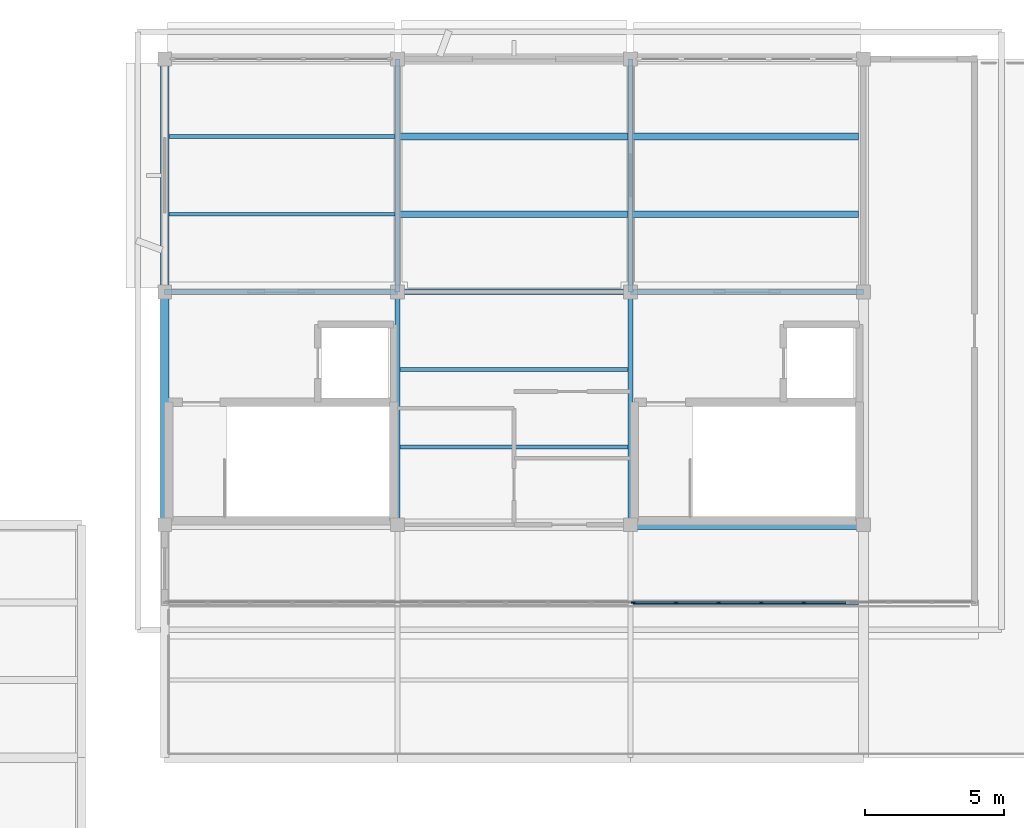
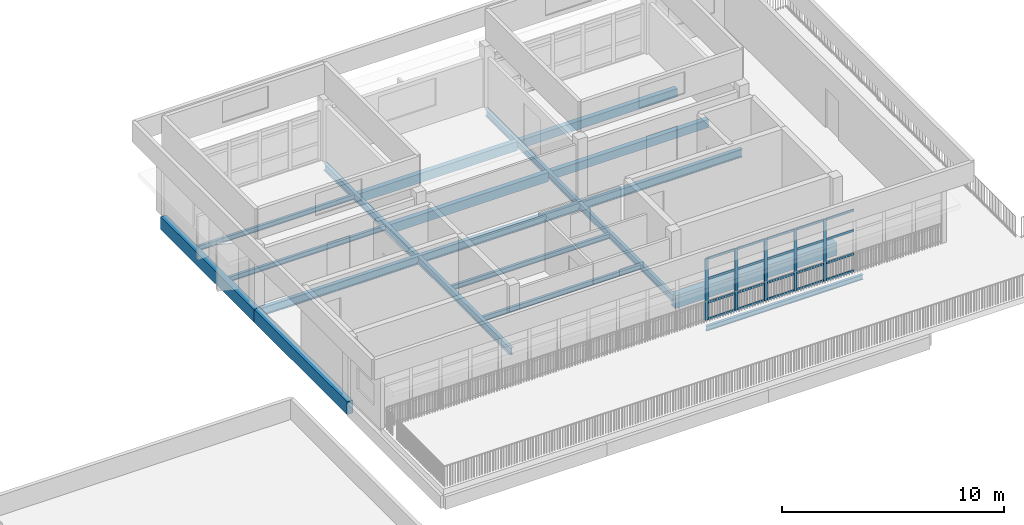
# One storey, part 3 of 14: 25 members, 19 beams, 1 element without a shape of its own.
"""IFC4 building model written with IfcOpenShell, lengths in metres."""

from ifc_helpers import new_model, si_unit, direction, frame, origin, origin_2d, place, context, subcontext, project, spatial, rectangle, i_section, extrude, material, material_profile, profile_set, type_object, element, aggregate, save


model = new_model("IFC4")

# Units and contexts
model_context = context("Model", 3, precision=1e-05, world=origin(), true_north=direction((0.0, 1.0)))
body_context = subcontext(model_context, "Body", "Model", "MODEL_VIEW")
ifc_project = project(units=[si_unit("LENGTHUNIT", "METRE"), si_unit("AREAUNIT", "SQUARE_METRE"), si_unit("VOLUMEUNIT", "CUBIC_METRE"), si_unit("PLANEANGLEUNIT", "RADIAN"), si_unit("MASSUNIT", "GRAM", prefix="KILO")], contexts=[model_context])

# Site, building, storey
site_placement = place(None, origin())
site = spatial("IfcSite", under=ifc_project, at=site_placement, CompositionType="ELEMENT")
building_placement = place(site_placement, origin())
building = spatial("IfcBuilding", under=site, at=building_placement, Name="Vanh Quang Courtyard School", CompositionType="ELEMENT")
storey_placement = place(building_placement, frame((0.0, 0.0, 22.199951171875)))
storey = spatial("IfcBuildingStorey", under=building, at=storey_placement, Name="L06", CompositionType="ELEMENT", Elevation=22.199951171875)

# Beams
ifc_material_1 = material(Name="Concrete C35/45", Category="concrete")
ifc_material_profile_1 = material_profile(ifc_material_1, rectangle(XDim=0.35009765625, YDim=0.699951171875, at=origin_2d()), Name="RC-BM 350x700")
ifc_profile_set_1 = profile_set([ifc_material_profile_1], Name="Concrete C35/45")
beam_type_1 = type_object("IfcBeamType", Name="BM-RC-350x700", PredefinedType="BEAM", material=ifc_profile_set_1)
beam_1_placement = place(storey_placement, frame((94.199951171875, 79.800048828125, -0.599853515625), z_axis=(1.0, 0.0, 0.0), x_axis=(0.0, 1.0, 0.0)))
element("IfcBeam", 1, at=beam_1_placement, inside=storey, type_object=beam_type_1, Name="Beam B-04 (L06)", PredefinedType="BEAM", context=body_context, shape_type="SweptSolid", body=[
    extrude(rectangle(XDim=0.35009765625, YDim=0.699951171875, at=origin_2d()), origin(), (0.0, 0.0, 1.0), 8.400146484375),
])
ifc_material_profile_2 = material_profile(ifc_material_1, rectangle(XDim=0.300048828125, YDim=0.699951171875, at=origin_2d()), Name="RC-SP 300x700")
ifc_profile_set_2 = profile_set([ifc_material_profile_2], Name="Concrete C35/45")
beam_type_2 = type_object("IfcBeamType", Name="BM-SP-300x700", PredefinedType="SPANDREL", material=ifc_profile_set_2)
beam_2_placement = place(storey_placement, frame((77.39990234375, 79.800048828125, -0.599853515625), z_axis=(0.0, 1.0, 0.0), x_axis=(-1.0, 0.0, 0.0)))
element("IfcBeam", 2, at=beam_2_placement, inside=storey, type_object=beam_type_2, Name="Beam BS-01 (L06)", PredefinedType="SPANDREL", context=body_context, shape_type="SweptSolid", body=[
    extrude(rectangle(XDim=0.300048828125, YDim=0.699951171875, at=origin_2d()), origin(), (0.0, 0.0, 1.0), 8.39990234375),
])
beam_3_placement = place(storey_placement, frame((77.39990234375, 88.199951171875, -0.599853515625), z_axis=(0.0, 1.0, 0.0), x_axis=(-1.0, 0.0, 0.0)))
element("IfcBeam", 3, at=beam_3_placement, inside=storey, type_object=beam_type_2, Name="Beam BS-01 (L06)", PredefinedType="SPANDREL", context=body_context, shape_type="SweptSolid", body=[
    extrude(rectangle(XDim=0.300048828125, YDim=0.699951171875, at=origin_2d()), origin(), (0.0, 0.0, 1.0), 8.400146484375),
])
ifc_material_2 = material(Name="Structural steel EN 10025-2 S355J2", Category="steel")
ifc_material_profile_3 = material_profile(ifc_material_2, i_section(OverallWidth=0.169921875, OverallDepth=0.360107421875, WebThickness=0.008056640625, FlangeThickness=0.0126953125, FilletRadius=0.01806640625, at=origin_2d()), Name="IPE 360")
ifc_profile_set_3 = profile_set([ifc_material_profile_3], Name="Structural steel EN 10025-2 S355J2")
beam_type_3 = type_object("IfcBeamType", Name="BM-STL-IPE360", PredefinedType="BEAM", material=ifc_profile_set_3)
beam_4_placement = place(storey_placement, frame((94.199951171875, 79.800048828125, -0.429931640625), z_axis=(0.0, 1.0, 0.0), x_axis=(-1.0, 0.0, 0.0)))
element("IfcBeam", 4, at=beam_4_placement, inside=storey, type_object=beam_type_3, Name="Beam SB-06 (L06)", PredefinedType="BEAM", context=body_context, shape_type="SweptSolid", body=[
    extrude(i_section(OverallWidth=0.169921875, OverallDepth=0.360107421875, WebThickness=0.008056640625, FlangeThickness=0.0126953125, FilletRadius=0.01806640625, at=origin_2d()), origin(), (0.0, 0.0, 1.0), 8.39990234375),
])
beam_5_placement = place(storey_placement, frame((94.199951171875, 88.199951171875, -0.429931640625), z_axis=(0.0, 1.0, 0.0), x_axis=(-1.0, 0.0, 0.0)))
element("IfcBeam", 5, at=beam_5_placement, inside=storey, type_object=beam_type_3, Name="Beam SB-06 (L06)", PredefinedType="BEAM", context=body_context, shape_type="SweptSolid", body=[
    extrude(i_section(OverallWidth=0.169921875, OverallDepth=0.360107421875, WebThickness=0.008056640625, FlangeThickness=0.0126953125, FilletRadius=0.01806640625, at=origin_2d()), origin(), (0.0, 0.0, 1.0), 8.400146484375),
])
ifc_material_profile_4 = material_profile(ifc_material_2, i_section(OverallWidth=0.179931640625, OverallDepth=0.39990234375, WebThickness=0.008544921875, FlangeThickness=0.013427734375, FilletRadius=0.02099609375, at=origin_2d()), Name="IPE 400")
ifc_profile_set_4 = profile_set([ifc_material_profile_4], Name="Structural steel EN 10025-2 S355J2")
beam_type_4 = type_object("IfcBeamType", Name="BM-STL-IPE400", PredefinedType="BEAM", material=ifc_profile_set_4)
beam_6_placement = place(storey_placement, frame((85.800048828125, 79.800048828125, -0.449951171875), z_axis=(0.0, 1.0, 0.0), x_axis=(-1.0, 0.0, 0.0)))
element("IfcBeam", 6, at=beam_6_placement, inside=storey, type_object=beam_type_4, Name="Beam SB-05 (L06)", PredefinedType="BEAM", context=body_context, shape_type="SweptSolid", body=[
    extrude(i_section(OverallWidth=0.179931640625, OverallDepth=0.39990234375, WebThickness=0.008544921875, FlangeThickness=0.013427734375, FilletRadius=0.02099609375, at=origin_2d()), origin(), (0.0, 0.0, 1.0), 8.39990234375),
])
beam_7_placement = place(storey_placement, frame((85.800048828125, 88.199951171875, -0.449951171875), z_axis=(0.0, 1.0, 0.0), x_axis=(-1.0, 0.0, 0.0)))
element("IfcBeam", 7, at=beam_7_placement, inside=storey, type_object=beam_type_4, Name="Beam SB-05 (L06)", PredefinedType="BEAM", context=body_context, shape_type="SweptSolid", body=[
    extrude(i_section(OverallWidth=0.179931640625, OverallDepth=0.39990234375, WebThickness=0.008544921875, FlangeThickness=0.013427734375, FilletRadius=0.02099609375, at=origin_2d()), origin(), (0.0, 0.0, 1.0), 8.400146484375),
])
ifc_material_profile_5 = material_profile(ifc_material_2, i_section(OverallWidth=0.18994140625, OverallDepth=0.449951171875, WebThickness=0.009521484375, FlangeThickness=0.0146484375, FilletRadius=0.02099609375, at=origin_2d()), Name="IPE 450")
ifc_profile_set_5 = profile_set([ifc_material_profile_5], Name="Structural steel EN 10025-2 S355J2")
beam_type_5 = type_object("IfcBeamType", Name="BM-STL-IPE450", PredefinedType="BEAM", material=ifc_profile_set_5)
beam_8_placement = place(storey_placement, frame((77.39990234375, 88.199951171875, -0.474853515625), z_axis=(1.0, 0.0, 0.0), x_axis=(0.0, 1.0, 0.0)))
element("IfcBeam", 8, at=beam_8_placement, inside=storey, type_object=beam_type_5, Name="Beam SB-04 (L06)", PredefinedType="BEAM", context=body_context, shape_type="SweptSolid", body=[
    extrude(i_section(OverallWidth=0.18994140625, OverallDepth=0.449951171875, WebThickness=0.009521484375, FlangeThickness=0.0146484375, FilletRadius=0.02099609375, at=origin_2d()), origin(), (0.0, 0.0, 1.0), 8.400146484375),
])
beam_9_placement = place(storey_placement, frame((85.800048828125, 88.199951171875, -0.474853515625), z_axis=(1.0, 0.0, 0.0), x_axis=(0.0, 1.0, 0.0)))
element("IfcBeam", 9, at=beam_9_placement, inside=storey, type_object=beam_type_5, Name="Beam SB-04 (L06)", PredefinedType="BEAM", context=body_context, shape_type="SweptSolid", body=[
    extrude(i_section(OverallWidth=0.18994140625, OverallDepth=0.449951171875, WebThickness=0.009521484375, FlangeThickness=0.0146484375, FilletRadius=0.02099609375, at=origin_2d()), origin(), (0.0, 0.0, 1.0), 8.39990234375),
])
beam_10_placement = place(storey_placement, frame((94.199951171875, 88.199951171875, -0.474853515625), z_axis=(1.0, 0.0, 0.0), x_axis=(0.0, 1.0, 0.0)))
element("IfcBeam", 10, at=beam_10_placement, inside=storey, type_object=beam_type_5, Name="Beam SB-04 (L06)", PredefinedType="BEAM", context=body_context, shape_type="SweptSolid", body=[
    extrude(i_section(OverallWidth=0.18994140625, OverallDepth=0.449951171875, WebThickness=0.009521484375, FlangeThickness=0.0146484375, FilletRadius=0.02099609375, at=origin_2d()), origin(), (0.0, 0.0, 1.0), 8.400146484375),
])

# Curtain wall, members
ifc_material_3 = material(Name="Thermally broken aluminium unitised curtain wall", Category="aluminium")
curtain_wall_type = type_object("IfcCurtainWallType", Name="CW-SYS-69", PredefinedType="NOTDEFINED", material=ifc_material_3)
curtain_wall_placement = place(storey_placement, origin())
curtain_wall = element("IfcCurtainWall", 11, at=curtain_wall_placement, inside=storey, type_object=curtain_wall_type, Name="Curtain Wall CW-69 (L06)", PredefinedType="NOTDEFINED")
ifc_material_4 = material(Name="Anodised aluminium 6063-T6", Category="aluminium")
ifc_material_profile_6 = material_profile(ifc_material_4, rectangle(XDim=0.06005859375, YDim=0.159912109375, at=origin_2d()), Name="ALU-MUL 60x160")
ifc_profile_set_6 = profile_set([ifc_material_profile_6], Name="Anodised aluminium 6063-T6")
member_type_1 = type_object("IfcMemberType", Name="CW-MUL-60x160", PredefinedType="MULLION", material=ifc_profile_set_6)
member_1_placement = place(storey_placement, frame((100.45263671875, 77.0, 0.0), z_axis=(0.0, 0.0, 1.0), x_axis=(0.0, -1.0, 0.0)))
member_1 = element("IfcMember", 12, at=member_1_placement, type_object=member_type_1, Name="CW-69 mullion 5", PredefinedType="MULLION", context=body_context, shape_type="SweptSolid", body=[
    extrude(rectangle(XDim=0.06005859375, YDim=0.159912109375, at=origin_2d()), origin(), (0.0, 0.0, 1.0), 3.380126953125),
])
member_2_placement = place(storey_placement, frame((98.915771484375, 77.0, 0.0), z_axis=(0.0, 0.0, 1.0), x_axis=(0.0, -1.0, 0.0)))
member_2 = element("IfcMember", 13, at=member_2_placement, type_object=member_type_1, Name="CW-69 mullion 6", PredefinedType="MULLION", context=body_context, shape_type="SweptSolid", body=[
    extrude(rectangle(XDim=0.06005859375, YDim=0.159912109375, at=origin_2d()), origin(), (0.0, 0.0, 1.0), 3.380126953125),
])
member_3_placement = place(storey_placement, frame((97.37890625, 77.0, 0.0), z_axis=(0.0, 0.0, 1.0), x_axis=(0.0, -1.0, 0.0)))
member_3 = element("IfcMember", 14, at=member_3_placement, type_object=member_type_1, Name="CW-69 mullion 7", PredefinedType="MULLION", context=body_context, shape_type="SweptSolid", body=[
    extrude(rectangle(XDim=0.06005859375, YDim=0.159912109375, at=origin_2d()), origin(), (0.0, 0.0, 1.0), 3.380126953125),
])
member_4_placement = place(storey_placement, frame((95.842041015625, 77.0, 0.0), z_axis=(0.0, 0.0, 1.0), x_axis=(0.0, -1.0, 0.0)))
member_4 = element("IfcMember", 15, at=member_4_placement, type_object=member_type_1, Name="CW-69 mullion 8", PredefinedType="MULLION", context=body_context, shape_type="SweptSolid", body=[
    extrude(rectangle(XDim=0.06005859375, YDim=0.159912109375, at=origin_2d()), origin(), (0.0, 0.0, 1.0), 3.380126953125),
])
member_5_placement = place(storey_placement, frame((94.30517578125, 77.0, 0.0), z_axis=(0.0, 0.0, 1.0), x_axis=(0.0, -1.0, 0.0)))
member_5 = element("IfcMember", 16, at=member_5_placement, type_object=member_type_1, Name="CW-69 mullion 9", PredefinedType="MULLION", context=body_context, shape_type="SweptSolid", body=[
    extrude(rectangle(XDim=0.06005859375, YDim=0.159912109375, at=origin_2d()), origin(), (0.0, 0.0, 1.0), 3.380126953125),
])
ifc_material_profile_7 = material_profile(ifc_material_4, rectangle(XDim=0.06005859375, YDim=0.1201171875, at=origin_2d()), Name="ALU-TRN 60x120")
ifc_profile_set_7 = profile_set([ifc_material_profile_7], Name="Anodised aluminium 6063-T6")
member_type_2 = type_object("IfcMemberType", Name="CW-TRN-60x120", PredefinedType="USERDEFINED", material=ifc_profile_set_7)
member_6_placement = place(storey_placement, frame((101.95947265625, 77.0, 0.030029296875), z_axis=(-1.0, 0.0, 0.0), x_axis=(0.0, -1.0, 0.0)))
member_6 = element("IfcMember", 17, at=member_6_placement, type_object=member_type_2, Name="CW-69 transom 4.1", ObjectType="TRANSOM", PredefinedType="USERDEFINED", context=body_context, shape_type="SweptSolid", body=[
    extrude(rectangle(XDim=0.06005859375, YDim=0.1201171875, at=origin_2d()), origin(), (0.0, 0.0, 1.0), 1.476806640625),
])
member_7_placement = place(storey_placement, frame((101.95947265625, 77.0, 0.949951171875), z_axis=(-1.0, 0.0, 0.0), x_axis=(0.0, -1.0, 0.0)))
member_7 = element("IfcMember", 18, at=member_7_placement, type_object=member_type_2, Name="CW-69 transom 4.2", ObjectType="TRANSOM", PredefinedType="USERDEFINED", context=body_context, shape_type="SweptSolid", body=[
    extrude(rectangle(XDim=0.06005859375, YDim=0.1201171875, at=origin_2d()), origin(), (0.0, 0.0, 1.0), 1.476806640625),
])
member_8_placement = place(storey_placement, frame((101.95947265625, 77.0, 2.25), z_axis=(-1.0, 0.0, 0.0), x_axis=(0.0, -1.0, 0.0)))
member_8 = element("IfcMember", 19, at=member_8_placement, type_object=member_type_2, Name="CW-69 transom 4.3", ObjectType="TRANSOM", PredefinedType="USERDEFINED", context=body_context, shape_type="SweptSolid", body=[
    extrude(rectangle(XDim=0.06005859375, YDim=0.1201171875, at=origin_2d()), origin(), (0.0, 0.0, 1.0), 1.476806640625),
])
member_9_placement = place(storey_placement, frame((101.95947265625, 77.0, 3.35009765625), z_axis=(-1.0, 0.0, 0.0), x_axis=(0.0, -1.0, 0.0)))
member_9 = element("IfcMember", 20, at=member_9_placement, type_object=member_type_2, Name="CW-69 transom 4.4", ObjectType="TRANSOM", PredefinedType="USERDEFINED", context=body_context, shape_type="SweptSolid", body=[
    extrude(rectangle(XDim=0.06005859375, YDim=0.1201171875, at=origin_2d()), origin(), (0.0, 0.0, 1.0), 1.476806640625),
])
member_10_placement = place(storey_placement, frame((100.422607421875, 77.0, 0.030029296875), z_axis=(-1.0, 0.0, 0.0), x_axis=(0.0, -1.0, 0.0)))
member_10 = element("IfcMember", 21, at=member_10_placement, type_object=member_type_2, Name="CW-69 transom 5.1", ObjectType="TRANSOM", PredefinedType="USERDEFINED", context=body_context, shape_type="SweptSolid", body=[
    extrude(rectangle(XDim=0.06005859375, YDim=0.1201171875, at=origin_2d()), origin(), (0.0, 0.0, 1.0), 1.476806640625),
])
member_11_placement = place(storey_placement, frame((100.422607421875, 77.0, 0.949951171875), z_axis=(-1.0, 0.0, 0.0), x_axis=(0.0, -1.0, 0.0)))
member_11 = element("IfcMember", 22, at=member_11_placement, type_object=member_type_2, Name="CW-69 transom 5.2", ObjectType="TRANSOM", PredefinedType="USERDEFINED", context=body_context, shape_type="SweptSolid", body=[
    extrude(rectangle(XDim=0.06005859375, YDim=0.1201171875, at=origin_2d()), origin(), (0.0, 0.0, 1.0), 1.476806640625),
])
member_12_placement = place(storey_placement, frame((100.422607421875, 77.0, 2.25), z_axis=(-1.0, 0.0, 0.0), x_axis=(0.0, -1.0, 0.0)))
member_12 = element("IfcMember", 23, at=member_12_placement, type_object=member_type_2, Name="CW-69 transom 5.3", ObjectType="TRANSOM", PredefinedType="USERDEFINED", context=body_context, shape_type="SweptSolid", body=[
    extrude(rectangle(XDim=0.06005859375, YDim=0.1201171875, at=origin_2d()), origin(), (0.0, 0.0, 1.0), 1.476806640625),
])
member_13_placement = place(storey_placement, frame((100.422607421875, 77.0, 3.35009765625), z_axis=(-1.0, 0.0, 0.0), x_axis=(0.0, -1.0, 0.0)))
member_13 = element("IfcMember", 24, at=member_13_placement, type_object=member_type_2, Name="CW-69 transom 5.4", ObjectType="TRANSOM", PredefinedType="USERDEFINED", context=body_context, shape_type="SweptSolid", body=[
    extrude(rectangle(XDim=0.06005859375, YDim=0.1201171875, at=origin_2d()), origin(), (0.0, 0.0, 1.0), 1.476806640625),
])
member_14_placement = place(storey_placement, frame((98.8857421875, 77.0, 0.030029296875), z_axis=(-1.0, 0.0, 0.0), x_axis=(0.0, -1.0, 0.0)))
member_14 = element("IfcMember", 25, at=member_14_placement, type_object=member_type_2, Name="CW-69 transom 6.1", ObjectType="TRANSOM", PredefinedType="USERDEFINED", context=body_context, shape_type="SweptSolid", body=[
    extrude(rectangle(XDim=0.06005859375, YDim=0.1201171875, at=origin_2d()), origin(), (0.0, 0.0, 1.0), 1.476806640625),
])
member_15_placement = place(storey_placement, frame((98.8857421875, 77.0, 0.949951171875), z_axis=(-1.0, 0.0, 0.0), x_axis=(0.0, -1.0, 0.0)))
member_15 = element("IfcMember", 26, at=member_15_placement, type_object=member_type_2, Name="CW-69 transom 6.2", ObjectType="TRANSOM", PredefinedType="USERDEFINED", context=body_context, shape_type="SweptSolid", body=[
    extrude(rectangle(XDim=0.06005859375, YDim=0.1201171875, at=origin_2d()), origin(), (0.0, 0.0, 1.0), 1.476806640625),
])
member_16_placement = place(storey_placement, frame((98.8857421875, 77.0, 2.25), z_axis=(-1.0, 0.0, 0.0), x_axis=(0.0, -1.0, 0.0)))
member_16 = element("IfcMember", 27, at=member_16_placement, type_object=member_type_2, Name="CW-69 transom 6.3", ObjectType="TRANSOM", PredefinedType="USERDEFINED", context=body_context, shape_type="SweptSolid", body=[
    extrude(rectangle(XDim=0.06005859375, YDim=0.1201171875, at=origin_2d()), origin(), (0.0, 0.0, 1.0), 1.476806640625),
])
member_17_placement = place(storey_placement, frame((98.8857421875, 77.0, 3.35009765625), z_axis=(-1.0, 0.0, 0.0), x_axis=(0.0, -1.0, 0.0)))
member_17 = element("IfcMember", 28, at=member_17_placement, type_object=member_type_2, Name="CW-69 transom 6.4", ObjectType="TRANSOM", PredefinedType="USERDEFINED", context=body_context, shape_type="SweptSolid", body=[
    extrude(rectangle(XDim=0.06005859375, YDim=0.1201171875, at=origin_2d()), origin(), (0.0, 0.0, 1.0), 1.476806640625),
])
member_18_placement = place(storey_placement, frame((97.348876953125, 77.0, 0.030029296875), z_axis=(-1.0, 0.0, 0.0), x_axis=(0.0, -1.0, 0.0)))
member_18 = element("IfcMember", 29, at=member_18_placement, type_object=member_type_2, Name="CW-69 transom 7.1", ObjectType="TRANSOM", PredefinedType="USERDEFINED", context=body_context, shape_type="SweptSolid", body=[
    extrude(rectangle(XDim=0.06005859375, YDim=0.1201171875, at=origin_2d()), origin(), (0.0, 0.0, 1.0), 1.476806640625),
])
member_19_placement = place(storey_placement, frame((97.348876953125, 77.0, 0.949951171875), z_axis=(-1.0, 0.0, 0.0), x_axis=(0.0, -1.0, 0.0)))
member_19 = element("IfcMember", 30, at=member_19_placement, type_object=member_type_2, Name="CW-69 transom 7.2", ObjectType="TRANSOM", PredefinedType="USERDEFINED", context=body_context, shape_type="SweptSolid", body=[
    extrude(rectangle(XDim=0.06005859375, YDim=0.1201171875, at=origin_2d()), origin(), (0.0, 0.0, 1.0), 1.476806640625),
])
member_20_placement = place(storey_placement, frame((97.348876953125, 77.0, 2.25), z_axis=(-1.0, 0.0, 0.0), x_axis=(0.0, -1.0, 0.0)))
member_20 = element("IfcMember", 31, at=member_20_placement, type_object=member_type_2, Name="CW-69 transom 7.3", ObjectType="TRANSOM", PredefinedType="USERDEFINED", context=body_context, shape_type="SweptSolid", body=[
    extrude(rectangle(XDim=0.06005859375, YDim=0.1201171875, at=origin_2d()), origin(), (0.0, 0.0, 1.0), 1.476806640625),
])
member_21_placement = place(storey_placement, frame((97.348876953125, 77.0, 3.35009765625), z_axis=(-1.0, 0.0, 0.0), x_axis=(0.0, -1.0, 0.0)))
member_21 = element("IfcMember", 32, at=member_21_placement, type_object=member_type_2, Name="CW-69 transom 7.4", ObjectType="TRANSOM", PredefinedType="USERDEFINED", context=body_context, shape_type="SweptSolid", body=[
    extrude(rectangle(XDim=0.06005859375, YDim=0.1201171875, at=origin_2d()), origin(), (0.0, 0.0, 1.0), 1.476806640625),
])
member_22_placement = place(storey_placement, frame((95.81201171875, 77.0, 0.030029296875), z_axis=(-1.0, 0.0, 0.0), x_axis=(0.0, -1.0, 0.0)))
member_22 = element("IfcMember", 33, at=member_22_placement, type_object=member_type_2, Name="CW-69 transom 8.1", ObjectType="TRANSOM", PredefinedType="USERDEFINED", context=body_context, shape_type="SweptSolid", body=[
    extrude(rectangle(XDim=0.06005859375, YDim=0.1201171875, at=origin_2d()), origin(), (0.0, 0.0, 1.0), 1.476806640625),
])
member_23_placement = place(storey_placement, frame((95.81201171875, 77.0, 0.949951171875), z_axis=(-1.0, 0.0, 0.0), x_axis=(0.0, -1.0, 0.0)))
member_23 = element("IfcMember", 34, at=member_23_placement, type_object=member_type_2, Name="CW-69 transom 8.2", ObjectType="TRANSOM", PredefinedType="USERDEFINED", context=body_context, shape_type="SweptSolid", body=[
    extrude(rectangle(XDim=0.06005859375, YDim=0.1201171875, at=origin_2d()), origin(), (0.0, 0.0, 1.0), 1.476806640625),
])
member_24_placement = place(storey_placement, frame((95.81201171875, 77.0, 2.25), z_axis=(-1.0, 0.0, 0.0), x_axis=(0.0, -1.0, 0.0)))
member_24 = element("IfcMember", 35, at=member_24_placement, type_object=member_type_2, Name="CW-69 transom 8.3", ObjectType="TRANSOM", PredefinedType="USERDEFINED", context=body_context, shape_type="SweptSolid", body=[
    extrude(rectangle(XDim=0.06005859375, YDim=0.1201171875, at=origin_2d()), origin(), (0.0, 0.0, 1.0), 1.476806640625),
])
member_25_placement = place(storey_placement, frame((95.81201171875, 77.0, 3.35009765625), z_axis=(-1.0, 0.0, 0.0), x_axis=(0.0, -1.0, 0.0)))
member_25 = element("IfcMember", 36, at=member_25_placement, type_object=member_type_2, Name="CW-69 transom 8.4", ObjectType="TRANSOM", PredefinedType="USERDEFINED", context=body_context, shape_type="SweptSolid", body=[
    extrude(rectangle(XDim=0.06005859375, YDim=0.1201171875, at=origin_2d()), origin(), (0.0, 0.0, 1.0), 1.476806640625),
])
aggregate(curtain_wall, [member_1, member_2, member_3, member_4, member_5, member_6, member_7, member_8, member_9, member_10, member_11, member_12, member_13, member_14, member_15, member_16, member_17, member_18, member_19, member_20, member_21, member_22, member_23, member_24, member_25])

# Beams
ifc_material_5 = material(Name="Concrete C30/37", Category="concrete")
ifc_material_profile_8 = material_profile(ifc_material_5, rectangle(XDim=0.25, YDim=0.449951171875, at=origin_2d()), Name="RC-JST 250x450")
ifc_profile_set_8 = profile_set([ifc_material_profile_8], Name="Concrete C30/37")
beam_type_6 = type_object("IfcBeamType", Name="JST-RC-250x450", PredefinedType="JOIST", material=ifc_profile_set_8)
for number, where, z_axis, x_axis, name in (
    (37, (94.284912109375, 91.0, -0.474853515625), (1.0, 0.0, 0.0), (0.0, 1.0, 0.0), "Beam BJ-02 (L06)"),
    (38, (94.284912109375, 93.800048828125, -0.474853515625), (1.0, 0.0, 0.0), (0.0, 1.0, 0.0), "Beam BJ-02 (L06)"),
):
    element("IfcBeam", number, at=place(storey_placement, frame(where, z_axis=z_axis, x_axis=x_axis)), inside=storey, type_object=beam_type_6, Name=name, PredefinedType="JOIST", context=body_context, shape_type="SweptSolid", body=[
        extrude(rectangle(XDim=0.25, YDim=0.449951171875, at=origin_2d()), origin(), (0.0, 0.0, 1.0), 8.14013671875),
    ])
ifc_material_profile_9 = material_profile(ifc_material_5, rectangle(XDim=0.25, YDim=0.5, at=origin_2d()), Name="RC-JST 250x500")
ifc_profile_set_9 = profile_set([ifc_material_profile_9], Name="Concrete C30/37")
beam_type_7 = type_object("IfcBeamType", Name="JST-RC-250x500", PredefinedType="JOIST", material=ifc_profile_set_9)
for number, where, z_axis, x_axis, name in (
    (39, (85.889892578125, 91.0, -0.5), (1.0, 0.0, 0.0), (0.0, 1.0, 0.0), "Beam BJ-01 (L06)"),
    (40, (85.889892578125, 93.800048828125, -0.5), (1.0, 0.0, 0.0), (0.0, 1.0, 0.0), "Beam BJ-01 (L06)"),
):
    element("IfcBeam", number, at=place(storey_placement, frame(where, z_axis=z_axis, x_axis=x_axis)), inside=storey, type_object=beam_type_7, Name=name, PredefinedType="JOIST", context=body_context, shape_type="SweptSolid", body=[
        extrude(rectangle(XDim=0.25, YDim=0.5, at=origin_2d()), origin(), (0.0, 0.0, 1.0), 8.22509765625),
    ])
ifc_material_profile_10 = material_profile(ifc_material_2, i_section(OverallWidth=0.135009765625, OverallDepth=0.27001953125, WebThickness=0.006591796875, FlangeThickness=0.01025390625, FilletRadius=0.014892578125, at=origin_2d()), Name="IPE 270")
ifc_profile_set_10 = profile_set([ifc_material_profile_10], Name="Structural steel EN 10025-2 S355J2")
beam_type_8 = type_object("IfcBeamType", Name="JST-STL-IPE270", PredefinedType="JOIST", material=ifc_profile_set_10)
for number, where, z_axis, x_axis, name in (
    (41, (77.550048828125, 91.0, -0.385009765625), (1.0, 0.0, 0.0), (0.0, 1.0, 0.0), "Beam SJ-03 (L06)"),
    (42, (77.550048828125, 93.800048828125, -0.385009765625), (1.0, 0.0, 0.0), (0.0, 1.0, 0.0), "Beam SJ-03 (L06)"),
):
    element("IfcBeam", number, at=place(storey_placement, frame(where, z_axis=z_axis, x_axis=x_axis)), inside=storey, type_object=beam_type_8, Name=name, PredefinedType="JOIST", context=body_context, shape_type="SweptSolid", body=[
        extrude(i_section(OverallWidth=0.135009765625, OverallDepth=0.27001953125, WebThickness=0.006591796875, FlangeThickness=0.01025390625, FilletRadius=0.014892578125, at=origin_2d()), origin(), (0.0, 0.0, 1.0), 8.159912109375),
    ])
for number, where, z_axis, x_axis, name in (
    (43, (85.889892578125, 82.60009765625, -0.385009765625), (1.0, 0.0, 0.0), (0.0, 1.0, 0.0), "Beam SJ-03 (L06)"),
    (44, (85.889892578125, 85.39990234375, -0.385009765625), (1.0, 0.0, 0.0), (0.0, 1.0, 0.0), "Beam SJ-03 (L06)"),
):
    element("IfcBeam", number, at=place(storey_placement, frame(where, z_axis=z_axis, x_axis=x_axis)), inside=storey, type_object=beam_type_8, Name=name, PredefinedType="JOIST", context=body_context, shape_type="SweptSolid", body=[
        extrude(i_section(OverallWidth=0.135009765625, OverallDepth=0.27001953125, WebThickness=0.006591796875, FlangeThickness=0.01025390625, FilletRadius=0.014892578125, at=origin_2d()), origin(), (0.0, 0.0, 1.0), 8.22509765625),
    ])
beam_11_placement = place(storey_placement, frame((94.284912109375, 77.0, -0.454833984375), z_axis=(1.0, 0.0, 0.0), x_axis=(0.0, 1.0, 0.0)))
element("IfcBeam", 45, at=beam_11_placement, inside=storey, type_object=beam_type_8, Name="Beam SJ-03 (L06)", PredefinedType="JOIST", context=body_context, shape_type="SweptSolid", body=[
    extrude(i_section(OverallWidth=0.135009765625, OverallDepth=0.27001953125, WebThickness=0.006591796875, FlangeThickness=0.01025390625, FilletRadius=0.014892578125, at=origin_2d()), origin(), (0.0, 0.0, 1.0), 8.14013671875),
])

save(model, "model.ifc")
